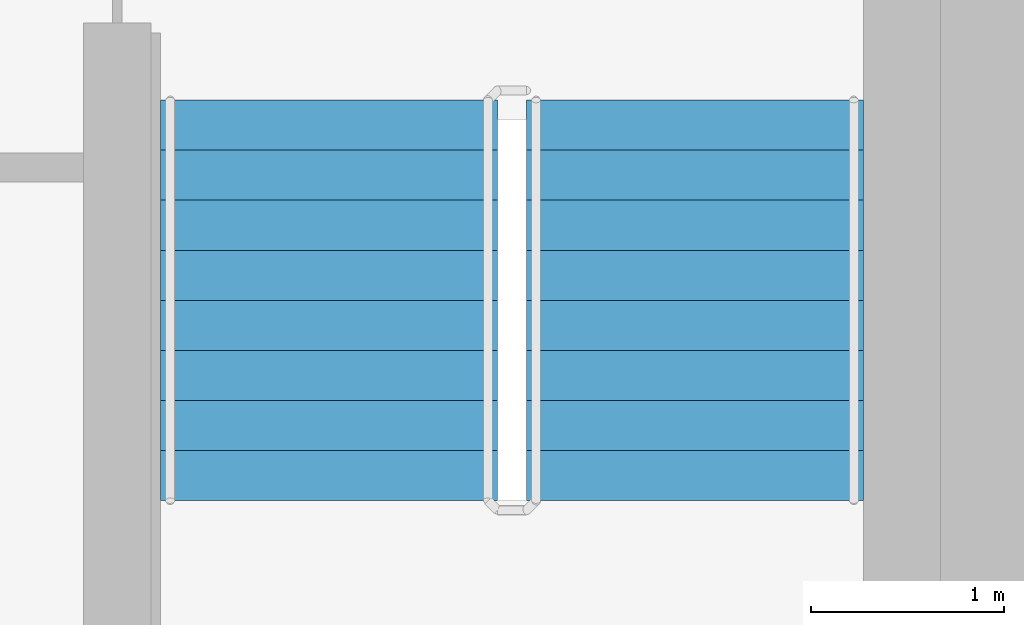
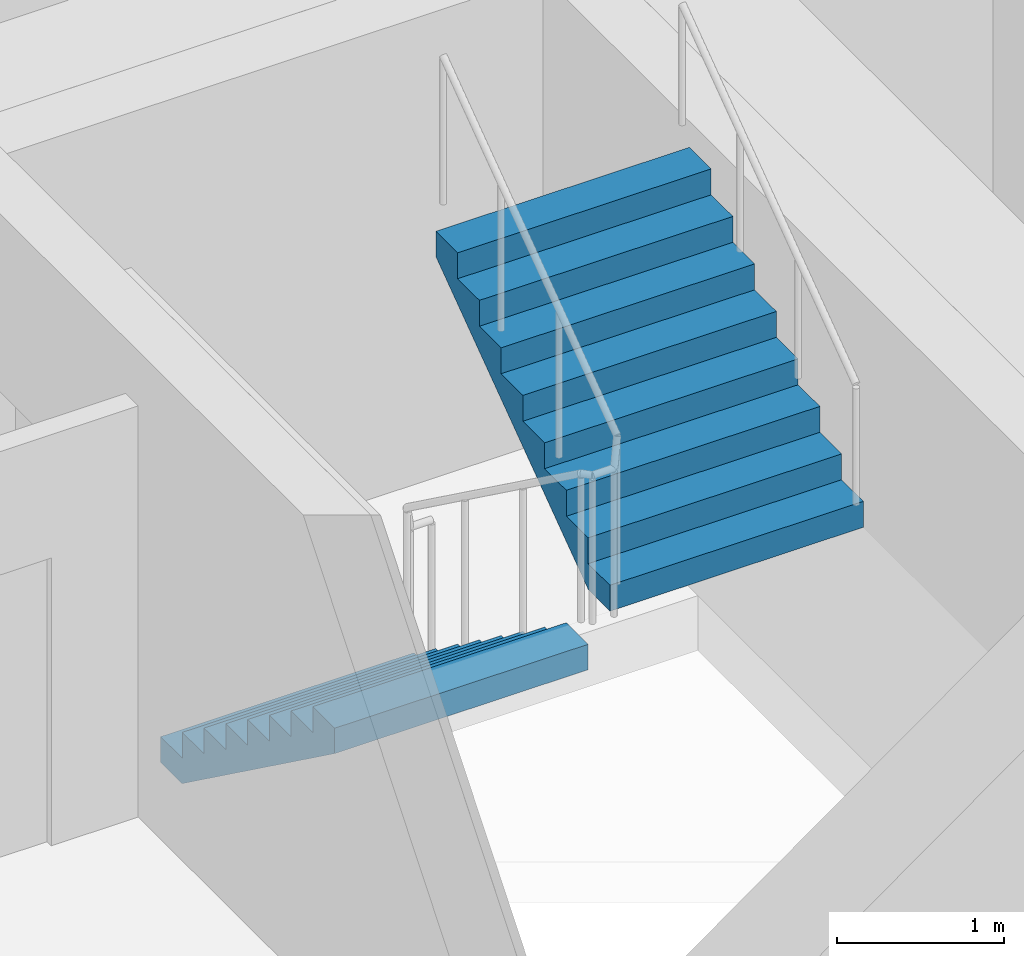
# One storey, part 16 of 20: 2 stair flights, 1 element without a shape of its own.
"""IFC4 building model written with IfcOpenShell, lengths in metres."""

import ifcopenshell
import ifcopenshell.guid

model = None  # the IFC model being written
_history = None  # IfcOwnerHistory: only IFC2X3 demands one
_inside = {}  # id of a spatial element -> (the spatial element, [elements in it])
_under = {}  # id of a project, library or spatial element -> (it, [spatial elements below it])
_declared = {}  # id of a project -> (the project, [libraries it declares])
_typed = {}  # id of a type object -> (the type object, [elements of that type])
_made_of = {}  # id of a material, layer set ... -> (it, [elements and type objects made of it])


def new_model(schema):
    """Start an empty IFC model of exactly this schema.

    Asked for "IFC4X3", IfcOpenShell would pick the latest addendum, in which some entities
    have other attributes; the version numbers below select the first issue.
    IFC2X3 requires an IfcOwnerHistory on every rooted entity: one is made here for all.
    """
    global model, _history
    if schema == "IFC4X3":
        model = ifcopenshell.file(schema_version=(4, 3, 0, 0))
    else:
        model = ifcopenshell.file(schema=schema)
    _inside.clear()
    _under.clear()
    _declared.clear()
    _typed.clear()
    _made_of.clear()
    _history = None
    if model.schema == "IFC2X3":
        org = make("IfcOrganization", Name="unknown")
        user = make(
            "IfcPersonAndOrganization",
            ThePerson=make("IfcPerson", FamilyName="unknown"),
            TheOrganization=org,
        )
        app = make(
            "IfcApplication",
            ApplicationDeveloper=org,
            Version="unknown",
            ApplicationFullName="unknown",
            ApplicationIdentifier="unknown",
        )
        _history = make(
            "IfcOwnerHistory",
            OwningUser=user,
            OwningApplication=app,
            ChangeAction="ADDED",
            CreationDate=0,
        )
    return model


def make(cls, **values):
    """One entity of the class cls with the attributes given. An attribute that is None is left unset."""
    return model.create_entity(
        cls, **{name: value for name, value in values.items() if value is not None}
    )


def rooted(cls, **values):
    """An entity with a GlobalId (a new one), such as an element, a storey or a relation."""
    return make(cls, GlobalId=ifcopenshell.guid.new(), OwnerHistory=_history, **values)


def si_unit(unit_type, name, prefix=None):
    """IfcSIUnit, for example si_unit("LENGTHUNIT", "METRE", prefix="MILLI")."""
    return make("IfcSIUnit", UnitType=unit_type, Prefix=prefix, Name=name)


def assignment(units):
    """IfcUnitAssignment: the units of a project."""
    return None if units is None else make("IfcUnitAssignment", Units=units)


def point(xyz):
    """IfcCartesianPoint."""
    return None if xyz is None else make("IfcCartesianPoint", Coordinates=xyz)


def direction(xyz):
    """IfcDirection."""
    return None if xyz is None else make("IfcDirection", DirectionRatios=xyz)


def frame(location, z_axis=None, x_axis=None):
    """IfcAxis2Placement3D, a coordinate frame: its origin and axes. An axis left out is left unset."""
    return make(
        "IfcAxis2Placement3D",
        Location=point(location),
        Axis=direction(z_axis),
        RefDirection=direction(x_axis),
    )


def origin():
    """The frame at (0, 0, 0) with its axes left unset."""
    return frame((0.0, 0.0, 0.0))


def place(relative_to, where):
    """IfcLocalPlacement: puts the frame where relative to a parent placement (None: the world)."""
    return make(
        "IfcLocalPlacement", PlacementRelTo=relative_to, RelativePlacement=where
    )


def context(
    kind, dimensions, precision=None, world=None, true_north=None, identifier=None
):
    """IfcGeometricRepresentationContext, for example the 3D "Model" context."""
    return make(
        "IfcGeometricRepresentationContext",
        ContextIdentifier=identifier,
        ContextType=kind,
        CoordinateSpaceDimension=dimensions,
        Precision=precision,
        WorldCoordinateSystem=world,
        TrueNorth=true_north,
    )


def subcontext(parent, identifier, kind, view, scale=None):
    """IfcGeometricRepresentationSubContext, for example "Body" below "Model"."""
    return make(
        "IfcGeometricRepresentationSubContext",
        ContextIdentifier=identifier,
        ContextType=kind,
        ParentContext=parent,
        TargetScale=scale,
        TargetView=view,
    )


def project(units=None, contexts=None):
    """IfcProject with its units and contexts."""
    return rooted(
        "IfcProject",
        Name="project",
        RepresentationContexts=contexts,
        UnitsInContext=assignment(units),
    )


def spatial(cls, under=None, at=None, **own):
    """A site, building, storey or space (cls), placed at a placement, below another one or the project."""
    s = rooted(cls, ObjectPlacement=at, **own)
    if under is not None:
        _under.setdefault(under.id(), (under, []))[1].append(s)
    return s


def faces_of(points, faces, orient=None, outer=None):
    """IfcFace entities. A face is a list of loops; a loop is a list of indices into points, from 0.

    orient and outer hold one flag for each loop. By default every Orientation is true, the
    first loop of a face is its IfcFaceOuterBound and the others are IfcFaceBound.
    """
    made = []
    for i, loops in enumerate(faces):
        bounds = []
        for j, loop in enumerate(loops):
            is_outer = j == 0 if outer is None else outer[i][j]
            bounds.append(
                make(
                    "IfcFaceOuterBound" if is_outer else "IfcFaceBound",
                    Bound=make("IfcPolyLoop", Polygon=[points[k] for k in loop]),
                    Orientation=True if orient is None else orient[i][j],
                )
            )
        made.append(make("IfcFace", Bounds=bounds))
    return made


def faceted_brep(points, faces, orient=None, outer=None, voids=None):
    """IfcFacetedBrep: a solid bounded by flat faces; with voids (closed shells), ...WithVoids."""
    shared = [point(p) for p in points]
    hull = make("IfcClosedShell", CfsFaces=faces_of(shared, faces, orient, outer))
    if voids is None:
        return make("IfcFacetedBrep", Outer=hull)
    return make(
        "IfcFacetedBrepWithVoids",
        Outer=hull,
        Voids=[
            make(cls, CfsFaces=faces_of(shared, fs, o, b)) for cls, fs, o, b in voids
        ],
    )


def shape(context_of_items, identifier, shape_type, items):
    """IfcShapeRepresentation: the items that make up one representation, for example the "Body"."""
    return make(
        "IfcShapeRepresentation",
        ContextOfItems=context_of_items,
        RepresentationIdentifier=identifier,
        RepresentationType=shape_type,
        Items=items,
    )


def material(Name=None, Category=None):
    """IfcMaterial."""
    return make("IfcMaterial", Name=Name, Category=Category)


def made_of(thing, what):
    """Note that an element or type object is made of a material, layer set ...; save() writes the relation."""
    if what is not None:
        _made_of.setdefault(what.id(), (what, []))[1].append(thing)
    return thing


def type_object(cls, material=None, **own):
    """A type object (cls), such as IfcWallType, which elements share."""
    return made_of(rooted(cls, **own), material)


def element(
    cls,
    number,
    at=None,
    inside=None,
    cuts=None,
    type_object=None,
    material=None,
    context=None,
    identifier="Body",
    shape_type=None,
    held_by="IfcProductDefinitionShape",
    body=None,
    shapes=None,
    **own,
):
    """One element of the class cls, such as IfcWall. Its Tag is "e" and its number.

    at: its placement. inside: the storey or other place that contains it. cuts: it is an
    opening in that element (IfcRelVoidsElement). A single representation is given by context,
    identifier, shape_type and body (its items); several are given by shapes. held_by: the class
    of the entity that holds the representations. save() writes the other relations.
    """
    e = rooted(cls, Tag="e%d" % number, ObjectPlacement=at, **own)
    if body is not None:
        shapes = [shape(context, identifier, shape_type, body)]
    if shapes is not None:
        e.Representation = make(held_by, Representations=shapes)
    if inside is not None:
        _inside.setdefault(inside.id(), (inside, []))[1].append(e)
    if cuts is not None:
        rooted(
            "IfcRelVoidsElement", RelatingBuildingElement=cuts, RelatedOpeningElement=e
        )
    if type_object is not None:
        _typed.setdefault(type_object.id(), (type_object, []))[1].append(e)
    return made_of(e, material)


def aggregate(whole, parts):
    """IfcRelAggregates: a whole, such as a stair, and the parts it consists of."""
    return rooted("IfcRelAggregates", RelatingObject=whole, RelatedObjects=parts)


def save(model, path):
    """Write the relations noted so far, then the file.

    IfcRelAggregates (storeys below a building ...), IfcRelContainedInSpatialStructure (elements
    in a storey), IfcRelDefinesByType, IfcRelAssociatesMaterial and IfcRelDeclares: one each for
    every whole, place, type object, material and project.
    """
    for whole, parts in _under.values():
        aggregate(whole, parts)
    for where, things in _inside.values():
        rooted(
            "IfcRelContainedInSpatialStructure",
            RelatedElements=things,
            RelatingStructure=where,
        )
    for kind, things in _typed.values():
        rooted("IfcRelDefinesByType", RelatedObjects=things, RelatingType=kind)
    for what, things in _made_of.values():
        rooted("IfcRelAssociatesMaterial", RelatedObjects=things, RelatingMaterial=what)
    for by, libraries in _declared.values():
        rooted("IfcRelDeclares", RelatingContext=by, RelatedDefinitions=libraries)
    model.write(path)


model = new_model("IFC4")

# Units and contexts
model_context = context("Model", 3, precision=1e-05, world=origin(), true_north=direction((0.0, 1.0)))
body_context = subcontext(model_context, "Body", "Model", "MODEL_VIEW")
ifc_project = project(units=[si_unit("LENGTHUNIT", "METRE"), si_unit("AREAUNIT", "SQUARE_METRE"), si_unit("VOLUMEUNIT", "CUBIC_METRE"), si_unit("PLANEANGLEUNIT", "RADIAN"), si_unit("MASSUNIT", "GRAM", prefix="KILO")], contexts=[model_context])

# Site, building, storey
site_placement = place(None, origin())
site = spatial("IfcSite", under=ifc_project, at=site_placement, CompositionType="ELEMENT")
building_placement = place(site_placement, origin())
building = spatial("IfcBuilding", under=site, at=building_placement, Name="Ipe Terrace Towers", CompositionType="ELEMENT")
storey_placement = place(building_placement, frame((0.0, 0.0, 160.89990234375)))
storey = spatial("IfcBuildingStorey", under=building, at=storey_placement, Name="L44", CompositionType="ELEMENT", Elevation=160.89990234375)

# Stair, stair flights
ifc_material_1 = material(Name="Concrete C30/37", Category="concrete")
stair_type = type_object("IfcStairType", Name="Protected exit stair", PredefinedType="HALF_TURN_STAIR", material=ifc_material_1)
stair_placement = place(storey_placement, origin())
stair = element("IfcStair", 1, at=stair_placement, inside=storey, type_object=stair_type, Name="L44 Exit stair T2-C2", PredefinedType="HALF_TURN_STAIR")
ifc_material_2 = material(Name="Concrete C30/37", Category="concrete")
stair_flight_type = type_object("IfcStairFlightType", Name="Exit stair flight 1750", PredefinedType="STRAIGHT", material=ifc_material_2)
stair_flight_1_placement = place(storey_placement, frame((38.77490234375, -9.699951171875, 0.0), z_axis=(0.0, 0.0, 1.0), x_axis=(0.0, -1.0, 0.0)))
stair_flight_1 = element("IfcStairFlight", 2, at=stair_flight_1_placement, type_object=stair_flight_type, Name="T2-ST2 flight 1", NumberOfRisers=9, NumberOfTreads=8, PredefinedType="STRAIGHT", RiserHeight=0.188888889, TreadLength=0.26, context=body_context, shape_type="Brep", body=[
    faceted_brep([(0.255126953125, -0.875, 0.0), (2.080078125, -0.875, 1.325927734375), (2.080078125, -0.875, 1.51123046875), (1.820068359375, -0.875, 1.51123046875), (1.820068359375, -0.875, 1.322265625), (1.56005859375, -0.875, 1.322265625), (1.56005859375, -0.875, 1.13330078125), (1.300048828125, -0.875, 1.13330078125), (1.300048828125, -0.875, 0.9443359375), (1.0400390625, -0.875, 0.9443359375), (1.0400390625, -0.875, 0.755615234375), (0.780029296875, -0.875, 0.755615234375), (0.780029296875, -0.875, 0.566650390625), (0.52001953125, -0.875, 0.566650390625), (0.52001953125, -0.875, 0.377685546875), (0.260009765625, -0.875, 0.377685546875), (0.260009765625, -0.875, 0.18896484375), (0.0, -0.875, 0.18896484375), (0.0, -0.875, 0.0), (0.0, 0.875, 0.0), (0.0, 0.875, 0.18896484375), (0.260009765625, 0.875, 0.18896484375), (0.260009765625, 0.875, 0.377685546875), (0.52001953125, 0.875, 0.377685546875), (0.52001953125, 0.875, 0.566650390625), (0.780029296875, 0.875, 0.566650390625), (0.780029296875, 0.875, 0.755615234375), (1.0400390625, 0.875, 0.755615234375), (1.0400390625, 0.875, 0.9443359375), (1.300048828125, 0.875, 0.9443359375), (1.300048828125, 0.875, 1.13330078125), (1.56005859375, 0.875, 1.13330078125), (1.56005859375, 0.875, 1.322265625), (1.820068359375, 0.875, 1.322265625), (1.820068359375, 0.875, 1.51123046875), (2.080078125, 0.875, 1.51123046875), (2.080078125, 0.875, 1.325927734375), (0.255126953125, 0.875, 0.0), (0.0, -0.300048828125, 0.18896484375), (0.0, -0.1201171875, 0.18896484375), (0.0, -0.06005859375, 0.18896484375), (0.0, -0.030029296875, 0.18896484375), (0.0, -0.010009765625, 0.18896484375), (0.0, 0.0, 0.18896484375), (0.0, 0.010009765625, 0.18896484375), (0.0, 0.030029296875, 0.18896484375), (0.0, 0.06005859375, 0.18896484375), (0.0, 0.1201171875, 0.18896484375), (0.0, 0.300048828125, 0.18896484375), (0.0, 0.300048828125, 0.0), (0.0, 0.1201171875, 0.0), (0.0, 0.06005859375, 0.0), (0.0, 0.030029296875, 0.0), (0.0, 0.010009765625, 0.0), (0.0, 0.0, 0.0), (0.0, -0.010009765625, 0.0), (0.0, -0.030029296875, 0.0), (0.0, -0.06005859375, 0.0), (0.0, -0.1201171875, 0.0), (0.0, -0.300048828125, 0.0), (0.260009765625, -0.300048828125, 0.18896484375), (0.260009765625, -0.1201171875, 0.18896484375), (0.260009765625, -0.06005859375, 0.18896484375), (0.260009765625, -0.030029296875, 0.18896484375), (0.260009765625, -0.010009765625, 0.18896484375), (0.260009765625, 0.0, 0.18896484375), (0.260009765625, 0.010009765625, 0.18896484375), (0.260009765625, 0.030029296875, 0.18896484375), (0.260009765625, 0.06005859375, 0.18896484375), (0.260009765625, 0.1201171875, 0.18896484375), (0.260009765625, 0.300048828125, 0.18896484375), (0.260009765625, -0.300048828125, 0.377685546875), (0.260009765625, -0.1201171875, 0.377685546875), (0.260009765625, -0.06005859375, 0.377685546875), (0.260009765625, -0.030029296875, 0.377685546875), (0.260009765625, -0.010009765625, 0.377685546875), (0.260009765625, 0.0, 0.377685546875), (0.260009765625, 0.010009765625, 0.377685546875), (0.260009765625, 0.030029296875, 0.377685546875), (0.260009765625, 0.06005859375, 0.377685546875), (0.260009765625, 0.1201171875, 0.377685546875), (0.260009765625, 0.300048828125, 0.377685546875), (0.52001953125, -0.300048828125, 0.377685546875), (0.52001953125, -0.1201171875, 0.377685546875), (0.52001953125, -0.06005859375, 0.377685546875), (0.52001953125, -0.030029296875, 0.377685546875), (0.52001953125, -0.010009765625, 0.377685546875), (0.52001953125, 0.0, 0.377685546875), (0.52001953125, 0.010009765625, 0.377685546875), (0.52001953125, 0.030029296875, 0.377685546875), (0.52001953125, 0.06005859375, 0.377685546875), (0.52001953125, 0.1201171875, 0.377685546875), (0.52001953125, 0.300048828125, 0.377685546875), (0.52001953125, -0.300048828125, 0.566650390625), (0.52001953125, -0.1201171875, 0.566650390625), (0.52001953125, -0.06005859375, 0.566650390625), (0.52001953125, -0.030029296875, 0.566650390625), (0.52001953125, -0.010009765625, 0.566650390625), (0.52001953125, 0.0, 0.566650390625), (0.52001953125, 0.010009765625, 0.566650390625), (0.52001953125, 0.030029296875, 0.566650390625), (0.52001953125, 0.06005859375, 0.566650390625), (0.52001953125, 0.1201171875, 0.566650390625), (0.52001953125, 0.300048828125, 0.566650390625), (0.780029296875, -0.300048828125, 0.566650390625), (0.780029296875, -0.1201171875, 0.566650390625), (0.780029296875, -0.06005859375, 0.566650390625), (0.780029296875, -0.030029296875, 0.566650390625), (0.780029296875, -0.010009765625, 0.566650390625), (0.780029296875, 0.0, 0.566650390625), (0.780029296875, 0.010009765625, 0.566650390625), (0.780029296875, 0.030029296875, 0.566650390625), (0.780029296875, 0.06005859375, 0.566650390625), (0.780029296875, 0.1201171875, 0.566650390625), (0.780029296875, 0.300048828125, 0.566650390625), (0.780029296875, -0.300048828125, 0.755615234375), (0.780029296875, -0.1201171875, 0.755615234375), (0.780029296875, -0.06005859375, 0.755615234375), (0.780029296875, -0.030029296875, 0.755615234375), (0.780029296875, -0.010009765625, 0.755615234375), (0.780029296875, 0.0, 0.755615234375), (0.780029296875, 0.010009765625, 0.755615234375), (0.780029296875, 0.030029296875, 0.755615234375), (0.780029296875, 0.06005859375, 0.755615234375), (0.780029296875, 0.1201171875, 0.755615234375), (0.780029296875, 0.300048828125, 0.755615234375), (1.0400390625, -0.300048828125, 0.755615234375), (1.0400390625, -0.1201171875, 0.755615234375), (1.0400390625, -0.06005859375, 0.755615234375), (1.0400390625, -0.030029296875, 0.755615234375), (1.0400390625, -0.010009765625, 0.755615234375), (1.0400390625, 0.0, 0.755615234375), (1.0400390625, 0.010009765625, 0.755615234375), (1.0400390625, 0.030029296875, 0.755615234375), (1.0400390625, 0.06005859375, 0.755615234375), (1.0400390625, 0.1201171875, 0.755615234375), (1.0400390625, 0.300048828125, 0.755615234375), (1.0400390625, -0.300048828125, 0.9443359375), (1.0400390625, -0.1201171875, 0.9443359375), (1.0400390625, -0.06005859375, 0.9443359375), (1.0400390625, -0.030029296875, 0.9443359375), (1.0400390625, -0.010009765625, 0.9443359375), (1.0400390625, 0.0, 0.9443359375), (1.0400390625, 0.010009765625, 0.9443359375), (1.0400390625, 0.030029296875, 0.9443359375), (1.0400390625, 0.06005859375, 0.9443359375), (1.0400390625, 0.1201171875, 0.9443359375), (1.0400390625, 0.300048828125, 0.9443359375), (1.300048828125, -0.300048828125, 0.9443359375), (1.300048828125, -0.1201171875, 0.9443359375), (1.300048828125, -0.06005859375, 0.9443359375), (1.300048828125, -0.030029296875, 0.9443359375), (1.300048828125, -0.010009765625, 0.9443359375), (1.300048828125, 0.0, 0.9443359375), (1.300048828125, 0.010009765625, 0.9443359375), (1.300048828125, 0.030029296875, 0.9443359375), (1.300048828125, 0.06005859375, 0.9443359375), (1.300048828125, 0.1201171875, 0.9443359375), (1.300048828125, 0.300048828125, 0.9443359375), (1.300048828125, -0.300048828125, 1.13330078125), (1.300048828125, -0.1201171875, 1.13330078125), (1.300048828125, -0.06005859375, 1.13330078125), (1.300048828125, -0.030029296875, 1.13330078125), (1.300048828125, -0.010009765625, 1.13330078125), (1.300048828125, 0.0, 1.13330078125), (1.300048828125, 0.010009765625, 1.13330078125), (1.300048828125, 0.030029296875, 1.13330078125), (1.300048828125, 0.06005859375, 1.13330078125), (1.300048828125, 0.1201171875, 1.13330078125), (1.300048828125, 0.300048828125, 1.13330078125), (1.56005859375, -0.300048828125, 1.13330078125), (1.56005859375, -0.1201171875, 1.13330078125), (1.56005859375, -0.06005859375, 1.13330078125), (1.56005859375, -0.030029296875, 1.13330078125), (1.56005859375, -0.010009765625, 1.13330078125), (1.56005859375, 0.0, 1.13330078125), (1.56005859375, 0.010009765625, 1.13330078125), (1.56005859375, 0.030029296875, 1.13330078125), (1.56005859375, 0.06005859375, 1.13330078125), (1.56005859375, 0.1201171875, 1.13330078125), (1.56005859375, 0.300048828125, 1.13330078125), (1.56005859375, -0.300048828125, 1.322265625), (1.56005859375, -0.1201171875, 1.322265625), (1.56005859375, -0.06005859375, 1.322265625), (1.56005859375, -0.030029296875, 1.322265625), (1.56005859375, -0.010009765625, 1.322265625), (1.56005859375, 0.0, 1.322265625), (1.56005859375, 0.010009765625, 1.322265625), (1.56005859375, 0.030029296875, 1.322265625), (1.56005859375, 0.06005859375, 1.322265625), (1.56005859375, 0.1201171875, 1.322265625), (1.56005859375, 0.300048828125, 1.322265625), (1.820068359375, -0.300048828125, 1.322265625), (1.820068359375, -0.1201171875, 1.322265625), (1.820068359375, -0.06005859375, 1.322265625), (1.820068359375, -0.030029296875, 1.322265625), (1.820068359375, -0.010009765625, 1.322265625), (1.820068359375, 0.0, 1.322265625), (1.820068359375, 0.010009765625, 1.322265625), (1.820068359375, 0.030029296875, 1.322265625), (1.820068359375, 0.06005859375, 1.322265625), (1.820068359375, 0.1201171875, 1.322265625), (1.820068359375, 0.300048828125, 1.322265625), (1.820068359375, -0.300048828125, 1.51123046875), (1.820068359375, -0.1201171875, 1.51123046875), (1.820068359375, -0.06005859375, 1.51123046875), (1.820068359375, -0.030029296875, 1.51123046875), (1.820068359375, -0.010009765625, 1.51123046875), (1.820068359375, 0.0, 1.51123046875), (1.820068359375, 0.010009765625, 1.51123046875), (1.820068359375, 0.030029296875, 1.51123046875), (1.820068359375, 0.06005859375, 1.51123046875), (1.820068359375, 0.1201171875, 1.51123046875), (1.820068359375, 0.300048828125, 1.51123046875), (2.080078125, -0.300048828125, 1.51123046875), (2.080078125, -0.1201171875, 1.51123046875), (2.080078125, -0.06005859375, 1.51123046875), (2.080078125, -0.030029296875, 1.51123046875), (2.080078125, -0.010009765625, 1.51123046875), (2.080078125, 0.0, 1.51123046875), (2.080078125, 0.010009765625, 1.51123046875), (2.080078125, 0.030029296875, 1.51123046875), (2.080078125, 0.06005859375, 1.51123046875), (2.080078125, 0.1201171875, 1.51123046875), (2.080078125, 0.300048828125, 1.51123046875), (2.080078125, -0.300048828125, 1.325927734375), (2.080078125, -0.1201171875, 1.325927734375), (2.080078125, -0.06005859375, 1.325927734375), (2.080078125, -0.030029296875, 1.325927734375), (2.080078125, -0.010009765625, 1.325927734375), (2.080078125, 0.0, 1.325927734375), (2.080078125, 0.010009765625, 1.325927734375), (2.080078125, 0.030029296875, 1.325927734375), (2.080078125, 0.06005859375, 1.325927734375), (2.080078125, 0.1201171875, 1.325927734375), (2.080078125, 0.300048828125, 1.325927734375), (0.255126953125, -0.300048828125, 0.0), (0.255126953125, -0.1201171875, 0.0), (0.255126953125, -0.06005859375, 0.0), (0.255126953125, -0.030029296875, 0.0), (0.255126953125, -0.010009765625, 0.0), (0.255126953125, 0.0, 0.0), (0.255126953125, 0.010009765625, 0.0), (0.255126953125, 0.030029296875, 0.0), (0.255126953125, 0.06005859375, 0.0), (0.255126953125, 0.1201171875, 0.0), (0.255126953125, 0.300048828125, 0.0)], [[[0, 1, 2, 3, 4, 5, 6, 7, 8, 9, 10, 11, 12, 13, 14, 15, 16, 17, 18]], [[19, 20, 21, 22, 23, 24, 25, 26, 27, 28, 29, 30, 31, 32, 33, 34, 35, 36, 37]], [[17, 38, 39, 40, 41, 42, 43, 44, 45, 46, 47, 48, 20, 19, 49, 50, 51, 52, 53, 54, 55, 56, 57, 58, 59, 18]], [[16, 60, 61, 62, 63, 64, 65, 66, 67, 68, 69, 70, 21, 20, 48, 47, 46, 45, 44, 43, 42, 41, 40, 39, 38, 17]], [[15, 71, 72, 73, 74, 75, 76, 77, 78, 79, 80, 81, 22, 21, 70, 69, 68, 67, 66, 65, 64, 63, 62, 61, 60, 16]], [[14, 82, 83, 84, 85, 86, 87, 88, 89, 90, 91, 92, 23, 22, 81, 80, 79, 78, 77, 76, 75, 74, 73, 72, 71, 15]], [[13, 93, 94, 95, 96, 97, 98, 99, 100, 101, 102, 103, 24, 23, 92, 91, 90, 89, 88, 87, 86, 85, 84, 83, 82, 14]], [[12, 104, 105, 106, 107, 108, 109, 110, 111, 112, 113, 114, 25, 24, 103, 102, 101, 100, 99, 98, 97, 96, 95, 94, 93, 13]], [[11, 115, 116, 117, 118, 119, 120, 121, 122, 123, 124, 125, 26, 25, 114, 113, 112, 111, 110, 109, 108, 107, 106, 105, 104, 12]], [[10, 126, 127, 128, 129, 130, 131, 132, 133, 134, 135, 136, 27, 26, 125, 124, 123, 122, 121, 120, 119, 118, 117, 116, 115, 11]], [[9, 137, 138, 139, 140, 141, 142, 143, 144, 145, 146, 147, 28, 27, 136, 135, 134, 133, 132, 131, 130, 129, 128, 127, 126, 10]], [[8, 148, 149, 150, 151, 152, 153, 154, 155, 156, 157, 158, 29, 28, 147, 146, 145, 144, 143, 142, 141, 140, 139, 138, 137, 9]], [[7, 159, 160, 161, 162, 163, 164, 165, 166, 167, 168, 169, 30, 29, 158, 157, 156, 155, 154, 153, 152, 151, 150, 149, 148, 8]], [[6, 170, 171, 172, 173, 174, 175, 176, 177, 178, 179, 180, 31, 30, 169, 168, 167, 166, 165, 164, 163, 162, 161, 160, 159, 7]], [[5, 181, 182, 183, 184, 185, 186, 187, 188, 189, 190, 191, 32, 31, 180, 179, 178, 177, 176, 175, 174, 173, 172, 171, 170, 6]], [[4, 192, 193, 194, 195, 196, 197, 198, 199, 200, 201, 202, 33, 32, 191, 190, 189, 188, 187, 186, 185, 184, 183, 182, 181, 5]], [[3, 203, 204, 205, 206, 207, 208, 209, 210, 211, 212, 213, 34, 33, 202, 201, 200, 199, 198, 197, 196, 195, 194, 193, 192, 4]], [[2, 214, 215, 216, 217, 218, 219, 220, 221, 222, 223, 224, 35, 34, 213, 212, 211, 210, 209, 208, 207, 206, 205, 204, 203, 3]], [[1, 225, 226, 227, 228, 229, 230, 231, 232, 233, 234, 235, 36, 35, 224, 223, 222, 221, 220, 219, 218, 217, 216, 215, 214, 2]], [[0, 236, 237, 238, 239, 240, 241, 242, 243, 244, 245, 246, 37, 36, 235, 234, 233, 232, 231, 230, 229, 228, 227, 226, 225, 1]], [[18, 59, 58, 57, 56, 55, 54, 53, 52, 51, 50, 49, 19, 37, 246, 245, 244, 243, 242, 241, 240, 239, 238, 237, 236, 0]]]),
])
stair_flight_2_placement = place(storey_placement, frame((40.675048828125, -11.780029296875, 1.7001953125), z_axis=(0.0, 0.0, 1.0), x_axis=(0.0, 1.0, 0.0)))
stair_flight_2 = element("IfcStairFlight", 3, at=stair_flight_2_placement, type_object=stair_flight_type, Name="T2-ST2 flight 2", NumberOfRisers=9, NumberOfTreads=8, PredefinedType="STRAIGHT", RiserHeight=0.188888889, TreadLength=0.26, context=body_context, shape_type="Brep", body=[
    faceted_brep([(0.255126953125, -0.875, 0.0), (2.080078125, -0.875, 1.325927734375), (2.080078125, -0.875, 1.51123046875), (1.820068359375, -0.875, 1.51123046875), (1.820068359375, -0.875, 1.322265625), (1.56005859375, -0.875, 1.322265625), (1.56005859375, -0.875, 1.13330078125), (1.300048828125, -0.875, 1.13330078125), (1.300048828125, -0.875, 0.9443359375), (1.0400390625, -0.875, 0.9443359375), (1.0400390625, -0.875, 0.755615234375), (0.780029296875, -0.875, 0.755615234375), (0.780029296875, -0.875, 0.566650390625), (0.52001953125, -0.875, 0.566650390625), (0.52001953125, -0.875, 0.377685546875), (0.260009765625, -0.875, 0.377685546875), (0.260009765625, -0.875, 0.18896484375), (0.0, -0.875, 0.18896484375), (0.0, -0.875, 0.0), (0.0, 0.875, 0.0), (0.0, 0.875, 0.18896484375), (0.260009765625, 0.875, 0.18896484375), (0.260009765625, 0.875, 0.377685546875), (0.52001953125, 0.875, 0.377685546875), (0.52001953125, 0.875, 0.566650390625), (0.780029296875, 0.875, 0.566650390625), (0.780029296875, 0.875, 0.755615234375), (1.0400390625, 0.875, 0.755615234375), (1.0400390625, 0.875, 0.9443359375), (1.300048828125, 0.875, 0.9443359375), (1.300048828125, 0.875, 1.13330078125), (1.56005859375, 0.875, 1.13330078125), (1.56005859375, 0.875, 1.322265625), (1.820068359375, 0.875, 1.322265625), (1.820068359375, 0.875, 1.51123046875), (2.080078125, 0.875, 1.51123046875), (2.080078125, 0.875, 1.325927734375), (0.255126953125, 0.875, 0.0), (0.0, -0.300048828125, 0.18896484375), (0.0, -0.1201171875, 0.18896484375), (0.0, -0.06005859375, 0.18896484375), (0.0, -0.030029296875, 0.18896484375), (0.0, -0.010009765625, 0.18896484375), (0.0, 0.0, 0.18896484375), (0.0, 0.010009765625, 0.18896484375), (0.0, 0.030029296875, 0.18896484375), (0.0, 0.06005859375, 0.18896484375), (0.0, 0.1201171875, 0.18896484375), (0.0, 0.300048828125, 0.18896484375), (0.0, 0.300048828125, 0.0), (0.0, 0.1201171875, 0.0), (0.0, 0.06005859375, 0.0), (0.0, 0.030029296875, 0.0), (0.0, 0.010009765625, 0.0), (0.0, 0.0, 0.0), (0.0, -0.010009765625, 0.0), (0.0, -0.030029296875, 0.0), (0.0, -0.06005859375, 0.0), (0.0, -0.1201171875, 0.0), (0.0, -0.300048828125, 0.0), (0.260009765625, -0.300048828125, 0.18896484375), (0.260009765625, -0.1201171875, 0.18896484375), (0.260009765625, -0.06005859375, 0.18896484375), (0.260009765625, -0.030029296875, 0.18896484375), (0.260009765625, -0.010009765625, 0.18896484375), (0.260009765625, 0.0, 0.18896484375), (0.260009765625, 0.010009765625, 0.18896484375), (0.260009765625, 0.030029296875, 0.18896484375), (0.260009765625, 0.06005859375, 0.18896484375), (0.260009765625, 0.1201171875, 0.18896484375), (0.260009765625, 0.300048828125, 0.18896484375), (0.260009765625, -0.300048828125, 0.377685546875), (0.260009765625, -0.1201171875, 0.377685546875), (0.260009765625, -0.06005859375, 0.377685546875), (0.260009765625, -0.030029296875, 0.377685546875), (0.260009765625, -0.010009765625, 0.377685546875), (0.260009765625, 0.0, 0.377685546875), (0.260009765625, 0.010009765625, 0.377685546875), (0.260009765625, 0.030029296875, 0.377685546875), (0.260009765625, 0.06005859375, 0.377685546875), (0.260009765625, 0.1201171875, 0.377685546875), (0.260009765625, 0.300048828125, 0.377685546875), (0.52001953125, -0.300048828125, 0.377685546875), (0.52001953125, -0.1201171875, 0.377685546875), (0.52001953125, -0.06005859375, 0.377685546875), (0.52001953125, -0.030029296875, 0.377685546875), (0.52001953125, -0.010009765625, 0.377685546875), (0.52001953125, 0.0, 0.377685546875), (0.52001953125, 0.010009765625, 0.377685546875), (0.52001953125, 0.030029296875, 0.377685546875), (0.52001953125, 0.06005859375, 0.377685546875), (0.52001953125, 0.1201171875, 0.377685546875), (0.52001953125, 0.300048828125, 0.377685546875), (0.52001953125, -0.300048828125, 0.566650390625), (0.52001953125, -0.1201171875, 0.566650390625), (0.52001953125, -0.06005859375, 0.566650390625), (0.52001953125, -0.030029296875, 0.566650390625), (0.52001953125, -0.010009765625, 0.566650390625), (0.52001953125, 0.0, 0.566650390625), (0.52001953125, 0.010009765625, 0.566650390625), (0.52001953125, 0.030029296875, 0.566650390625), (0.52001953125, 0.06005859375, 0.566650390625), (0.52001953125, 0.1201171875, 0.566650390625), (0.52001953125, 0.300048828125, 0.566650390625), (0.780029296875, -0.300048828125, 0.566650390625), (0.780029296875, -0.1201171875, 0.566650390625), (0.780029296875, -0.06005859375, 0.566650390625), (0.780029296875, -0.030029296875, 0.566650390625), (0.780029296875, -0.010009765625, 0.566650390625), (0.780029296875, 0.0, 0.566650390625), (0.780029296875, 0.010009765625, 0.566650390625), (0.780029296875, 0.030029296875, 0.566650390625), (0.780029296875, 0.06005859375, 0.566650390625), (0.780029296875, 0.1201171875, 0.566650390625), (0.780029296875, 0.300048828125, 0.566650390625), (0.780029296875, -0.300048828125, 0.755615234375), (0.780029296875, -0.1201171875, 0.755615234375), (0.780029296875, -0.06005859375, 0.755615234375), (0.780029296875, -0.030029296875, 0.755615234375), (0.780029296875, -0.010009765625, 0.755615234375), (0.780029296875, 0.0, 0.755615234375), (0.780029296875, 0.010009765625, 0.755615234375), (0.780029296875, 0.030029296875, 0.755615234375), (0.780029296875, 0.06005859375, 0.755615234375), (0.780029296875, 0.1201171875, 0.755615234375), (0.780029296875, 0.300048828125, 0.755615234375), (1.0400390625, -0.300048828125, 0.755615234375), (1.0400390625, -0.1201171875, 0.755615234375), (1.0400390625, -0.06005859375, 0.755615234375), (1.0400390625, -0.030029296875, 0.755615234375), (1.0400390625, -0.010009765625, 0.755615234375), (1.0400390625, 0.0, 0.755615234375), (1.0400390625, 0.010009765625, 0.755615234375), (1.0400390625, 0.030029296875, 0.755615234375), (1.0400390625, 0.06005859375, 0.755615234375), (1.0400390625, 0.1201171875, 0.755615234375), (1.0400390625, 0.300048828125, 0.755615234375), (1.0400390625, -0.300048828125, 0.9443359375), (1.0400390625, -0.1201171875, 0.9443359375), (1.0400390625, -0.06005859375, 0.9443359375), (1.0400390625, -0.030029296875, 0.9443359375), (1.0400390625, -0.010009765625, 0.9443359375), (1.0400390625, 0.0, 0.9443359375), (1.0400390625, 0.010009765625, 0.9443359375), (1.0400390625, 0.030029296875, 0.9443359375), (1.0400390625, 0.06005859375, 0.9443359375), (1.0400390625, 0.1201171875, 0.9443359375), (1.0400390625, 0.300048828125, 0.9443359375), (1.300048828125, -0.300048828125, 0.9443359375), (1.300048828125, -0.1201171875, 0.9443359375), (1.300048828125, -0.06005859375, 0.9443359375), (1.300048828125, -0.030029296875, 0.9443359375), (1.300048828125, -0.010009765625, 0.9443359375), (1.300048828125, 0.0, 0.9443359375), (1.300048828125, 0.010009765625, 0.9443359375), (1.300048828125, 0.030029296875, 0.9443359375), (1.300048828125, 0.06005859375, 0.9443359375), (1.300048828125, 0.1201171875, 0.9443359375), (1.300048828125, 0.300048828125, 0.9443359375), (1.300048828125, -0.300048828125, 1.13330078125), (1.300048828125, -0.1201171875, 1.13330078125), (1.300048828125, -0.06005859375, 1.13330078125), (1.300048828125, -0.030029296875, 1.13330078125), (1.300048828125, -0.010009765625, 1.13330078125), (1.300048828125, 0.0, 1.13330078125), (1.300048828125, 0.010009765625, 1.13330078125), (1.300048828125, 0.030029296875, 1.13330078125), (1.300048828125, 0.06005859375, 1.13330078125), (1.300048828125, 0.1201171875, 1.13330078125), (1.300048828125, 0.300048828125, 1.13330078125), (1.56005859375, -0.300048828125, 1.13330078125), (1.56005859375, -0.1201171875, 1.13330078125), (1.56005859375, -0.06005859375, 1.13330078125), (1.56005859375, -0.030029296875, 1.13330078125), (1.56005859375, -0.010009765625, 1.13330078125), (1.56005859375, 0.0, 1.13330078125), (1.56005859375, 0.010009765625, 1.13330078125), (1.56005859375, 0.030029296875, 1.13330078125), (1.56005859375, 0.06005859375, 1.13330078125), (1.56005859375, 0.1201171875, 1.13330078125), (1.56005859375, 0.300048828125, 1.13330078125), (1.56005859375, -0.300048828125, 1.322265625), (1.56005859375, -0.1201171875, 1.322265625), (1.56005859375, -0.06005859375, 1.322265625), (1.56005859375, -0.030029296875, 1.322265625), (1.56005859375, -0.010009765625, 1.322265625), (1.56005859375, 0.0, 1.322265625), (1.56005859375, 0.010009765625, 1.322265625), (1.56005859375, 0.030029296875, 1.322265625), (1.56005859375, 0.06005859375, 1.322265625), (1.56005859375, 0.1201171875, 1.322265625), (1.56005859375, 0.300048828125, 1.322265625), (1.820068359375, -0.300048828125, 1.322265625), (1.820068359375, -0.1201171875, 1.322265625), (1.820068359375, -0.06005859375, 1.322265625), (1.820068359375, -0.030029296875, 1.322265625), (1.820068359375, -0.010009765625, 1.322265625), (1.820068359375, 0.0, 1.322265625), (1.820068359375, 0.010009765625, 1.322265625), (1.820068359375, 0.030029296875, 1.322265625), (1.820068359375, 0.06005859375, 1.322265625), (1.820068359375, 0.1201171875, 1.322265625), (1.820068359375, 0.300048828125, 1.322265625), (1.820068359375, -0.300048828125, 1.51123046875), (1.820068359375, -0.1201171875, 1.51123046875), (1.820068359375, -0.06005859375, 1.51123046875), (1.820068359375, -0.030029296875, 1.51123046875), (1.820068359375, -0.010009765625, 1.51123046875), (1.820068359375, 0.0, 1.51123046875), (1.820068359375, 0.010009765625, 1.51123046875), (1.820068359375, 0.030029296875, 1.51123046875), (1.820068359375, 0.06005859375, 1.51123046875), (1.820068359375, 0.1201171875, 1.51123046875), (1.820068359375, 0.300048828125, 1.51123046875), (2.080078125, -0.300048828125, 1.51123046875), (2.080078125, -0.1201171875, 1.51123046875), (2.080078125, -0.06005859375, 1.51123046875), (2.080078125, -0.030029296875, 1.51123046875), (2.080078125, -0.010009765625, 1.51123046875), (2.080078125, 0.0, 1.51123046875), (2.080078125, 0.010009765625, 1.51123046875), (2.080078125, 0.030029296875, 1.51123046875), (2.080078125, 0.06005859375, 1.51123046875), (2.080078125, 0.1201171875, 1.51123046875), (2.080078125, 0.300048828125, 1.51123046875), (2.080078125, -0.300048828125, 1.325927734375), (2.080078125, -0.1201171875, 1.325927734375), (2.080078125, -0.06005859375, 1.325927734375), (2.080078125, -0.030029296875, 1.325927734375), (2.080078125, -0.010009765625, 1.325927734375), (2.080078125, 0.0, 1.325927734375), (2.080078125, 0.010009765625, 1.325927734375), (2.080078125, 0.030029296875, 1.325927734375), (2.080078125, 0.06005859375, 1.325927734375), (2.080078125, 0.1201171875, 1.325927734375), (2.080078125, 0.300048828125, 1.325927734375), (0.255126953125, -0.300048828125, 0.0), (0.255126953125, -0.1201171875, 0.0), (0.255126953125, -0.06005859375, 0.0), (0.255126953125, -0.030029296875, 0.0), (0.255126953125, -0.010009765625, 0.0), (0.255126953125, 0.0, 0.0), (0.255126953125, 0.010009765625, 0.0), (0.255126953125, 0.030029296875, 0.0), (0.255126953125, 0.06005859375, 0.0), (0.255126953125, 0.1201171875, 0.0), (0.255126953125, 0.300048828125, 0.0)], [[[0, 1, 2, 3, 4, 5, 6, 7, 8, 9, 10, 11, 12, 13, 14, 15, 16, 17, 18]], [[19, 20, 21, 22, 23, 24, 25, 26, 27, 28, 29, 30, 31, 32, 33, 34, 35, 36, 37]], [[17, 38, 39, 40, 41, 42, 43, 44, 45, 46, 47, 48, 20, 19, 49, 50, 51, 52, 53, 54, 55, 56, 57, 58, 59, 18]], [[16, 60, 61, 62, 63, 64, 65, 66, 67, 68, 69, 70, 21, 20, 48, 47, 46, 45, 44, 43, 42, 41, 40, 39, 38, 17]], [[15, 71, 72, 73, 74, 75, 76, 77, 78, 79, 80, 81, 22, 21, 70, 69, 68, 67, 66, 65, 64, 63, 62, 61, 60, 16]], [[14, 82, 83, 84, 85, 86, 87, 88, 89, 90, 91, 92, 23, 22, 81, 80, 79, 78, 77, 76, 75, 74, 73, 72, 71, 15]], [[13, 93, 94, 95, 96, 97, 98, 99, 100, 101, 102, 103, 24, 23, 92, 91, 90, 89, 88, 87, 86, 85, 84, 83, 82, 14]], [[12, 104, 105, 106, 107, 108, 109, 110, 111, 112, 113, 114, 25, 24, 103, 102, 101, 100, 99, 98, 97, 96, 95, 94, 93, 13]], [[11, 115, 116, 117, 118, 119, 120, 121, 122, 123, 124, 125, 26, 25, 114, 113, 112, 111, 110, 109, 108, 107, 106, 105, 104, 12]], [[10, 126, 127, 128, 129, 130, 131, 132, 133, 134, 135, 136, 27, 26, 125, 124, 123, 122, 121, 120, 119, 118, 117, 116, 115, 11]], [[9, 137, 138, 139, 140, 141, 142, 143, 144, 145, 146, 147, 28, 27, 136, 135, 134, 133, 132, 131, 130, 129, 128, 127, 126, 10]], [[8, 148, 149, 150, 151, 152, 153, 154, 155, 156, 157, 158, 29, 28, 147, 146, 145, 144, 143, 142, 141, 140, 139, 138, 137, 9]], [[7, 159, 160, 161, 162, 163, 164, 165, 166, 167, 168, 169, 30, 29, 158, 157, 156, 155, 154, 153, 152, 151, 150, 149, 148, 8]], [[6, 170, 171, 172, 173, 174, 175, 176, 177, 178, 179, 180, 31, 30, 169, 168, 167, 166, 165, 164, 163, 162, 161, 160, 159, 7]], [[5, 181, 182, 183, 184, 185, 186, 187, 188, 189, 190, 191, 32, 31, 180, 179, 178, 177, 176, 175, 174, 173, 172, 171, 170, 6]], [[4, 192, 193, 194, 195, 196, 197, 198, 199, 200, 201, 202, 33, 32, 191, 190, 189, 188, 187, 186, 185, 184, 183, 182, 181, 5]], [[3, 203, 204, 205, 206, 207, 208, 209, 210, 211, 212, 213, 34, 33, 202, 201, 200, 199, 198, 197, 196, 195, 194, 193, 192, 4]], [[2, 214, 215, 216, 217, 218, 219, 220, 221, 222, 223, 224, 35, 34, 213, 212, 211, 210, 209, 208, 207, 206, 205, 204, 203, 3]], [[1, 225, 226, 227, 228, 229, 230, 231, 232, 233, 234, 235, 36, 35, 224, 223, 222, 221, 220, 219, 218, 217, 216, 215, 214, 2]], [[0, 236, 237, 238, 239, 240, 241, 242, 243, 244, 245, 246, 37, 36, 235, 234, 233, 232, 231, 230, 229, 228, 227, 226, 225, 1]], [[18, 59, 58, 57, 56, 55, 54, 53, 52, 51, 50, 49, 19, 37, 246, 245, 244, 243, 242, 241, 240, 239, 238, 237, 236, 0]]]),
])
aggregate(stair, [stair_flight_1, stair_flight_2])

save(model, "model.ifc")
